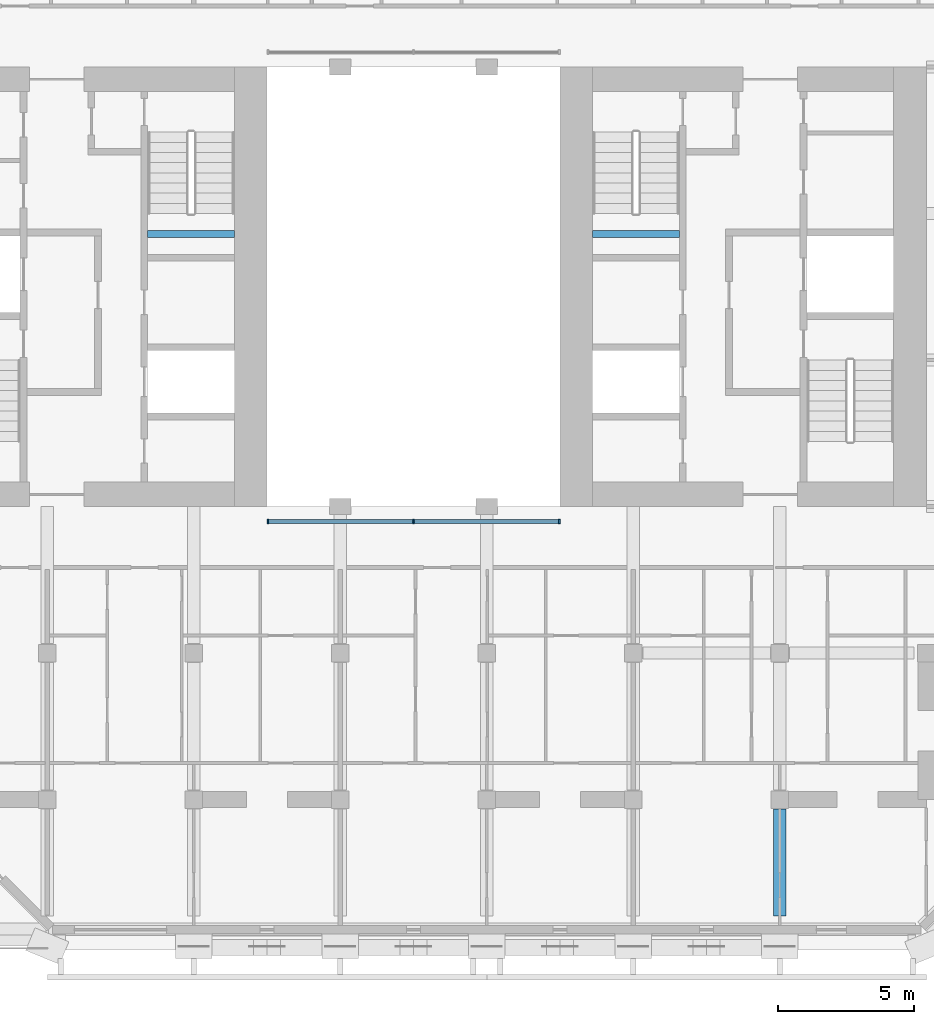
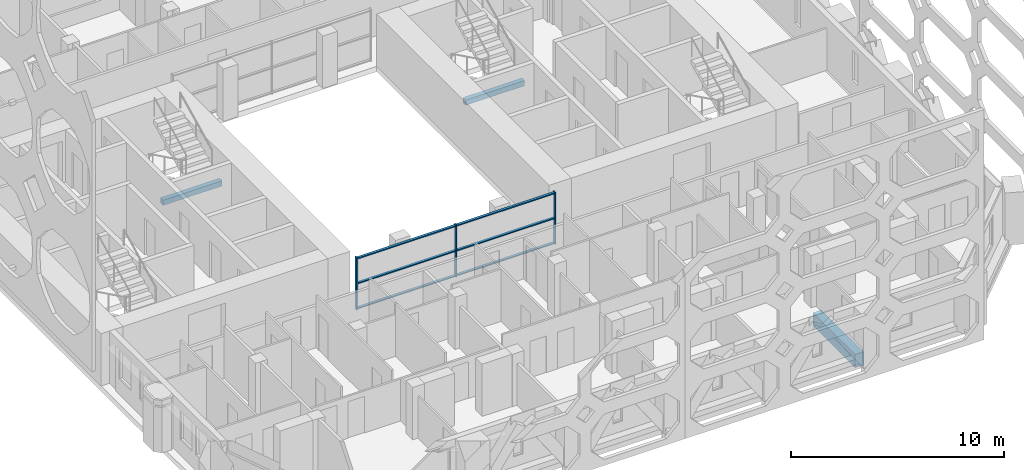
# One storey, part 2 of 15: 9 members, 3 beams, 1 element without a shape of its own.
"""IFC4 building model written with IfcOpenShell, lengths in metres."""

import ifcopenshell
import ifcopenshell.guid

model = None  # the IFC model being written
_history = None  # IfcOwnerHistory: only IFC2X3 demands one
_inside = {}  # id of a spatial element -> (the spatial element, [elements in it])
_under = {}  # id of a project, library or spatial element -> (it, [spatial elements below it])
_declared = {}  # id of a project -> (the project, [libraries it declares])
_typed = {}  # id of a type object -> (the type object, [elements of that type])
_made_of = {}  # id of a material, layer set ... -> (it, [elements and type objects made of it])


def new_model(schema):
    """Start an empty IFC model of exactly this schema.

    Asked for "IFC4X3", IfcOpenShell would pick the latest addendum, in which some entities
    have other attributes; the version numbers below select the first issue.
    IFC2X3 requires an IfcOwnerHistory on every rooted entity: one is made here for all.
    """
    global model, _history
    if schema == "IFC4X3":
        model = ifcopenshell.file(schema_version=(4, 3, 0, 0))
    else:
        model = ifcopenshell.file(schema=schema)
    _inside.clear()
    _under.clear()
    _declared.clear()
    _typed.clear()
    _made_of.clear()
    _history = None
    if model.schema == "IFC2X3":
        org = make("IfcOrganization", Name="unknown")
        user = make(
            "IfcPersonAndOrganization",
            ThePerson=make("IfcPerson", FamilyName="unknown"),
            TheOrganization=org,
        )
        app = make(
            "IfcApplication",
            ApplicationDeveloper=org,
            Version="unknown",
            ApplicationFullName="unknown",
            ApplicationIdentifier="unknown",
        )
        _history = make(
            "IfcOwnerHistory",
            OwningUser=user,
            OwningApplication=app,
            ChangeAction="ADDED",
            CreationDate=0,
        )
    return model


def make(cls, **values):
    """One entity of the class cls with the attributes given. An attribute that is None is left unset."""
    return model.create_entity(
        cls, **{name: value for name, value in values.items() if value is not None}
    )


def rooted(cls, **values):
    """An entity with a GlobalId (a new one), such as an element, a storey or a relation."""
    return make(cls, GlobalId=ifcopenshell.guid.new(), OwnerHistory=_history, **values)


def si_unit(unit_type, name, prefix=None):
    """IfcSIUnit, for example si_unit("LENGTHUNIT", "METRE", prefix="MILLI")."""
    return make("IfcSIUnit", UnitType=unit_type, Prefix=prefix, Name=name)


def assignment(units):
    """IfcUnitAssignment: the units of a project."""
    return None if units is None else make("IfcUnitAssignment", Units=units)


def point(xyz):
    """IfcCartesianPoint."""
    return None if xyz is None else make("IfcCartesianPoint", Coordinates=xyz)


def direction(xyz):
    """IfcDirection."""
    return None if xyz is None else make("IfcDirection", DirectionRatios=xyz)


def frame(location, z_axis=None, x_axis=None):
    """IfcAxis2Placement3D, a coordinate frame: its origin and axes. An axis left out is left unset."""
    return make(
        "IfcAxis2Placement3D",
        Location=point(location),
        Axis=direction(z_axis),
        RefDirection=direction(x_axis),
    )


def frame_2d(location, x_axis=None):
    """IfcAxis2Placement2D, a coordinate frame in the plane: its origin and x axis."""
    return make(
        "IfcAxis2Placement2D", Location=point(location), RefDirection=direction(x_axis)
    )


def origin():
    """The frame at (0, 0, 0) with its axes left unset."""
    return frame((0.0, 0.0, 0.0))


def origin_2d():
    """The frame at (0, 0) in the plane with its x axis left unset."""
    return frame_2d((0.0, 0.0))


def place(relative_to, where):
    """IfcLocalPlacement: puts the frame where relative to a parent placement (None: the world)."""
    return make(
        "IfcLocalPlacement", PlacementRelTo=relative_to, RelativePlacement=where
    )


def context(
    kind, dimensions, precision=None, world=None, true_north=None, identifier=None
):
    """IfcGeometricRepresentationContext, for example the 3D "Model" context."""
    return make(
        "IfcGeometricRepresentationContext",
        ContextIdentifier=identifier,
        ContextType=kind,
        CoordinateSpaceDimension=dimensions,
        Precision=precision,
        WorldCoordinateSystem=world,
        TrueNorth=true_north,
    )


def subcontext(parent, identifier, kind, view, scale=None):
    """IfcGeometricRepresentationSubContext, for example "Body" below "Model"."""
    return make(
        "IfcGeometricRepresentationSubContext",
        ContextIdentifier=identifier,
        ContextType=kind,
        ParentContext=parent,
        TargetScale=scale,
        TargetView=view,
    )


def project(units=None, contexts=None):
    """IfcProject with its units and contexts."""
    return rooted(
        "IfcProject",
        Name="project",
        RepresentationContexts=contexts,
        UnitsInContext=assignment(units),
    )


def spatial(cls, under=None, at=None, **own):
    """A site, building, storey or space (cls), placed at a placement, below another one or the project."""
    s = rooted(cls, ObjectPlacement=at, **own)
    if under is not None:
        _under.setdefault(under.id(), (under, []))[1].append(s)
    return s


def profile(cls, at=None, kind="AREA", **sizes):
    """A parametric profile (cls). Its sizes go by their IFC names, for example OverallWidth=200.0."""
    return make(cls, ProfileType=kind, Position=at, **sizes)


def rectangle(**sizes):
    """IfcRectangleProfileDef."""
    return profile("IfcRectangleProfileDef", **sizes)


def extrude(swept, where, along, depth):
    """IfcExtrudedAreaSolid: the profile swept, set in the frame where, extruded along a direction by depth."""
    return make(
        "IfcExtrudedAreaSolid",
        SweptArea=swept,
        Position=where,
        ExtrudedDirection=direction(along),
        Depth=depth,
    )


def shape(context_of_items, identifier, shape_type, items):
    """IfcShapeRepresentation: the items that make up one representation, for example the "Body"."""
    return make(
        "IfcShapeRepresentation",
        ContextOfItems=context_of_items,
        RepresentationIdentifier=identifier,
        RepresentationType=shape_type,
        Items=items,
    )


def material(Name=None, Category=None):
    """IfcMaterial."""
    return make("IfcMaterial", Name=Name, Category=Category)


def material_profile(
    of_material, cross_section, Name=None, Category=None, Priority=None
):
    """IfcMaterialProfile: a cross section and its material."""
    return make(
        "IfcMaterialProfile",
        Name=Name,
        Material=of_material,
        Profile=cross_section,
        Priority=Priority,
        Category=Category,
    )


def profile_set(profiles, Name=None, composite=None):
    """IfcMaterialProfileSet."""
    return make(
        "IfcMaterialProfileSet",
        Name=Name,
        MaterialProfiles=profiles,
        CompositeProfile=composite,
    )


def made_of(thing, what):
    """Note that an element or type object is made of a material, layer set ...; save() writes the relation."""
    if what is not None:
        _made_of.setdefault(what.id(), (what, []))[1].append(thing)
    return thing


def type_object(cls, material=None, **own):
    """A type object (cls), such as IfcWallType, which elements share."""
    return made_of(rooted(cls, **own), material)


def element(
    cls,
    number,
    at=None,
    inside=None,
    cuts=None,
    type_object=None,
    material=None,
    context=None,
    identifier="Body",
    shape_type=None,
    held_by="IfcProductDefinitionShape",
    body=None,
    shapes=None,
    **own,
):
    """One element of the class cls, such as IfcWall. Its Tag is "e" and its number.

    at: its placement. inside: the storey or other place that contains it. cuts: it is an
    opening in that element (IfcRelVoidsElement). A single representation is given by context,
    identifier, shape_type and body (its items); several are given by shapes. held_by: the class
    of the entity that holds the representations. save() writes the other relations.
    """
    e = rooted(cls, Tag="e%d" % number, ObjectPlacement=at, **own)
    if body is not None:
        shapes = [shape(context, identifier, shape_type, body)]
    if shapes is not None:
        e.Representation = make(held_by, Representations=shapes)
    if inside is not None:
        _inside.setdefault(inside.id(), (inside, []))[1].append(e)
    if cuts is not None:
        rooted(
            "IfcRelVoidsElement", RelatingBuildingElement=cuts, RelatedOpeningElement=e
        )
    if type_object is not None:
        _typed.setdefault(type_object.id(), (type_object, []))[1].append(e)
    return made_of(e, material)


def aggregate(whole, parts):
    """IfcRelAggregates: a whole, such as a stair, and the parts it consists of."""
    return rooted("IfcRelAggregates", RelatingObject=whole, RelatedObjects=parts)


def save(model, path):
    """Write the relations noted so far, then the file.

    IfcRelAggregates (storeys below a building ...), IfcRelContainedInSpatialStructure (elements
    in a storey), IfcRelDefinesByType, IfcRelAssociatesMaterial and IfcRelDeclares: one each for
    every whole, place, type object, material and project.
    """
    for whole, parts in _under.values():
        aggregate(whole, parts)
    for where, things in _inside.values():
        rooted(
            "IfcRelContainedInSpatialStructure",
            RelatedElements=things,
            RelatingStructure=where,
        )
    for kind, things in _typed.values():
        rooted("IfcRelDefinesByType", RelatedObjects=things, RelatingType=kind)
    for what, things in _made_of.values():
        rooted("IfcRelAssociatesMaterial", RelatedObjects=things, RelatingMaterial=what)
    for by, libraries in _declared.values():
        rooted("IfcRelDeclares", RelatingContext=by, RelatedDefinitions=libraries)
    model.write(path)


model = new_model("IFC4")

# Units and contexts
model_context = context("Model", 3, precision=1e-05, world=origin(), true_north=direction((0.0, 1.0)))
body_context = subcontext(model_context, "Body", "Model", "MODEL_VIEW")
ifc_project = project(units=[si_unit("LENGTHUNIT", "METRE"), si_unit("AREAUNIT", "SQUARE_METRE"), si_unit("VOLUMEUNIT", "CUBIC_METRE"), si_unit("PLANEANGLEUNIT", "RADIAN"), si_unit("MASSUNIT", "GRAM", prefix="KILO")], contexts=[model_context])

# Site, building, storey
site_placement = place(None, origin())
site = spatial("IfcSite", under=ifc_project, at=site_placement, CompositionType="ELEMENT")
building_placement = place(site_placement, origin())
building = spatial("IfcBuilding", under=site, at=building_placement, Name="Tabaq Tower and Sports Hall", CompositionType="ELEMENT")
storey_placement = place(building_placement, frame((0.0, 0.0, 265.300048828125)))
storey = spatial("IfcBuildingStorey", under=building, at=storey_placement, Name="L64", CompositionType="ELEMENT", Elevation=265.300048828125)

# Curtain wall, members
ifc_material_1 = material(Name="Aluminium alloy 6063-T6 framed glazing", Category="aluminium")
curtain_wall_type = type_object("IfcCurtainWallType", Name="CW1 curtain wall", PredefinedType="USERDEFINED", material=ifc_material_1)
curtain_wall_placement = place(storey_placement, origin())
curtain_wall = element("IfcCurtainWall", 1, at=curtain_wall_placement, inside=storey, type_object=curtain_wall_type, Name="Atrium glazing L64 S", ObjectType="ATRIUM ENCLOSURE", PredefinedType="USERDEFINED")
ifc_material_2 = material(Name="Aluminium alloy 6063-T6", Category="aluminium")
ifc_material_profile_1 = material_profile(ifc_material_2, rectangle(XDim=0.159912109375, YDim=0.06005859375, at=origin_2d()), Name="MULLION 160x60")
ifc_profile_set_1 = profile_set([ifc_material_profile_1], Name="Aluminium alloy 6063-T6")
member_type_1 = type_object("IfcMemberType", Name="CW1 mullion 160x60", PredefinedType="MULLION", material=ifc_profile_set_1)
member_1_placement = place(storey_placement, frame((18.929931640625, 15.64990234375, 0.0), z_axis=(0.0, 0.0, 1.0), x_axis=(0.0, 1.0, 0.0)))
member_1 = element("IfcMember", 2, at=member_1_placement, type_object=member_type_1, Name="CW1 mullion 1", PredefinedType="MULLION", context=body_context, shape_type="SweptSolid", body=[
    extrude(rectangle(XDim=0.159912109375, YDim=0.06005859375, at=origin_2d()), origin(), (0.0, 0.0, 1.0), 3.0),
])
member_2_placement = place(storey_placement, frame((24.300048828125, 15.64990234375, 0.0), z_axis=(0.0, 0.0, 1.0), x_axis=(0.0, 1.0, 0.0)))
member_2 = element("IfcMember", 3, at=member_2_placement, type_object=member_type_1, Name="CW1 mullion 2", PredefinedType="MULLION", context=body_context, shape_type="SweptSolid", body=[
    extrude(rectangle(XDim=0.159912109375, YDim=0.06005859375, at=origin_2d()), origin(), (0.0, 0.0, 1.0), 3.0),
])
member_3_placement = place(storey_placement, frame((29.669921875, 15.64990234375, 0.0), z_axis=(0.0, 0.0, 1.0), x_axis=(0.0, 1.0, 0.0)))
member_3 = element("IfcMember", 4, at=member_3_placement, type_object=member_type_1, Name="CW1 mullion 3", PredefinedType="MULLION", context=body_context, shape_type="SweptSolid", body=[
    extrude(rectangle(XDim=0.159912109375, YDim=0.06005859375, at=origin_2d()), origin(), (0.0, 0.0, 1.0), 3.0),
])
ifc_material_3 = material(Name="Aluminium alloy 6063-T6", Category="aluminium")
ifc_material_profile_2 = material_profile(ifc_material_3, rectangle(XDim=0.139892578125, YDim=0.06005859375, at=origin_2d()), Name="TRANSOM 140x60")
ifc_profile_set_2 = profile_set([ifc_material_profile_2], Name="Aluminium alloy 6063-T6")
member_type_2 = type_object("IfcMemberType", Name="CW1 transom 140x60", PredefinedType="USERDEFINED", material=ifc_profile_set_2)
member_4_placement = place(storey_placement, frame((18.9599609375, 15.64990234375, 0.070068359375), z_axis=(1.0, 0.0, 0.0), x_axis=(0.0, 1.0, 0.0)))
member_4 = element("IfcMember", 5, at=member_4_placement, type_object=member_type_2, Name="CW1 transom 1.1", ObjectType="TRANSOM", PredefinedType="USERDEFINED", context=body_context, shape_type="SweptSolid", body=[
    extrude(rectangle(XDim=0.139892578125, YDim=0.06005859375, at=origin_2d()), origin(), (0.0, 0.0, 1.0), 5.31005859375),
])
member_5_placement = place(storey_placement, frame((18.9599609375, 15.64990234375, 1.5), z_axis=(1.0, 0.0, 0.0), x_axis=(0.0, 1.0, 0.0)))
member_5 = element("IfcMember", 6, at=member_5_placement, type_object=member_type_2, Name="CW1 transom 1.2", ObjectType="TRANSOM", PredefinedType="USERDEFINED", context=body_context, shape_type="SweptSolid", body=[
    extrude(rectangle(XDim=0.139892578125, YDim=0.06005859375, at=origin_2d()), origin(), (0.0, 0.0, 1.0), 5.31005859375),
])
member_6_placement = place(storey_placement, frame((18.9599609375, 15.64990234375, 2.929931640625), z_axis=(1.0, 0.0, 0.0), x_axis=(0.0, 1.0, 0.0)))
member_6 = element("IfcMember", 7, at=member_6_placement, type_object=member_type_2, Name="CW1 transom 1.3", ObjectType="TRANSOM", PredefinedType="USERDEFINED", context=body_context, shape_type="SweptSolid", body=[
    extrude(rectangle(XDim=0.139892578125, YDim=0.06005859375, at=origin_2d()), origin(), (0.0, 0.0, 1.0), 5.31005859375),
])
member_7_placement = place(storey_placement, frame((24.330078125, 15.64990234375, 0.070068359375), z_axis=(1.0, 0.0, 0.0), x_axis=(0.0, 1.0, 0.0)))
member_7 = element("IfcMember", 8, at=member_7_placement, type_object=member_type_2, Name="CW1 transom 2.1", ObjectType="TRANSOM", PredefinedType="USERDEFINED", context=body_context, shape_type="SweptSolid", body=[
    extrude(rectangle(XDim=0.139892578125, YDim=0.06005859375, at=origin_2d()), origin(), (0.0, 0.0, 1.0), 5.309814453125),
])
member_8_placement = place(storey_placement, frame((24.330078125, 15.64990234375, 1.5), z_axis=(1.0, 0.0, 0.0), x_axis=(0.0, 1.0, 0.0)))
member_8 = element("IfcMember", 9, at=member_8_placement, type_object=member_type_2, Name="CW1 transom 2.2", ObjectType="TRANSOM", PredefinedType="USERDEFINED", context=body_context, shape_type="SweptSolid", body=[
    extrude(rectangle(XDim=0.139892578125, YDim=0.06005859375, at=origin_2d()), origin(), (0.0, 0.0, 1.0), 5.309814453125),
])
member_9_placement = place(storey_placement, frame((24.330078125, 15.64990234375, 2.929931640625), z_axis=(1.0, 0.0, 0.0), x_axis=(0.0, 1.0, 0.0)))
member_9 = element("IfcMember", 10, at=member_9_placement, type_object=member_type_2, Name="CW1 transom 2.3", ObjectType="TRANSOM", PredefinedType="USERDEFINED", context=body_context, shape_type="SweptSolid", body=[
    extrude(rectangle(XDim=0.139892578125, YDim=0.06005859375, at=origin_2d()), origin(), (0.0, 0.0, 1.0), 5.309814453125),
])
aggregate(curtain_wall, [member_1, member_2, member_3, member_4, member_5, member_6, member_7, member_8, member_9])

# Beams
ifc_material_4 = material(Name="Concrete C40/50", Category="concrete")
ifc_material_profile_3 = material_profile(ifc_material_4, rectangle(XDim=0.449951171875, YDim=0.75, at=origin_2d()), Name="CB 450x750")
ifc_profile_set_3 = profile_set([ifc_material_profile_3], Name="Concrete C40/50")
beam_type_1 = type_object("IfcBeamType", Name="PT CANTILEVER BEAM CB 450x750 C40/50", PredefinedType="BEAM", material=ifc_profile_set_3)
beam_1_placement = place(storey_placement, frame((37.800048828125, 1.10009765625, -0.675048828125), z_axis=(0.0, 1.0, 0.0), x_axis=(-1.0, 0.0, 0.0)))
element("IfcBeam", 11, at=beam_1_placement, inside=storey, type_object=beam_type_1, Name="Cantilever Beam L64 S7 span 1", PredefinedType="BEAM", context=body_context, shape_type="SweptSolid", body=[
    extrude(rectangle(XDim=0.449951171875, YDim=0.75, at=origin_2d()), origin(), (0.0, 0.0, 1.0), 3.949951171875),
])
ifc_material_5 = material(Name="Concrete C40/50", Category="concrete")
ifc_material_profile_4 = material_profile(ifc_material_5, rectangle(XDim=0.25, YDim=0.300048828125, at=origin_2d()), Name="RC 250x300")
ifc_profile_set_4 = profile_set([ifc_material_profile_4], Name="Concrete C40/50")
beam_type_2 = type_object("IfcBeamType", Name="Stair landing beam 250x300", PredefinedType="BEAM", material=ifc_profile_set_4)
beam_2_placement = place(storey_placement, frame((14.5, 26.25, 1.300048828125), z_axis=(1.0, 0.0, 0.0), x_axis=(0.0, 1.0, 0.0)))
element("IfcBeam", 12, at=beam_2_placement, inside=storey, type_object=beam_type_2, Name="L64 ST2 landing beam 1", PredefinedType="BEAM", context=body_context, shape_type="SweptSolid", body=[
    extrude(rectangle(XDim=0.25, YDim=0.300048828125, at=origin_2d()), origin(), (0.0, 0.0, 1.0), 3.199951171875),
])
beam_3_placement = place(storey_placement, frame((30.89990234375, 26.25, 1.300048828125), z_axis=(1.0, 0.0, 0.0), x_axis=(0.0, 1.0, 0.0)))
element("IfcBeam", 13, at=beam_3_placement, inside=storey, type_object=beam_type_2, Name="L64 ST4 landing beam 1", PredefinedType="BEAM", context=body_context, shape_type="SweptSolid", body=[
    extrude(rectangle(XDim=0.25, YDim=0.300048828125, at=origin_2d()), origin(), (0.0, 0.0, 1.0), 3.2001953125),
])

save(model, "model.ifc")
